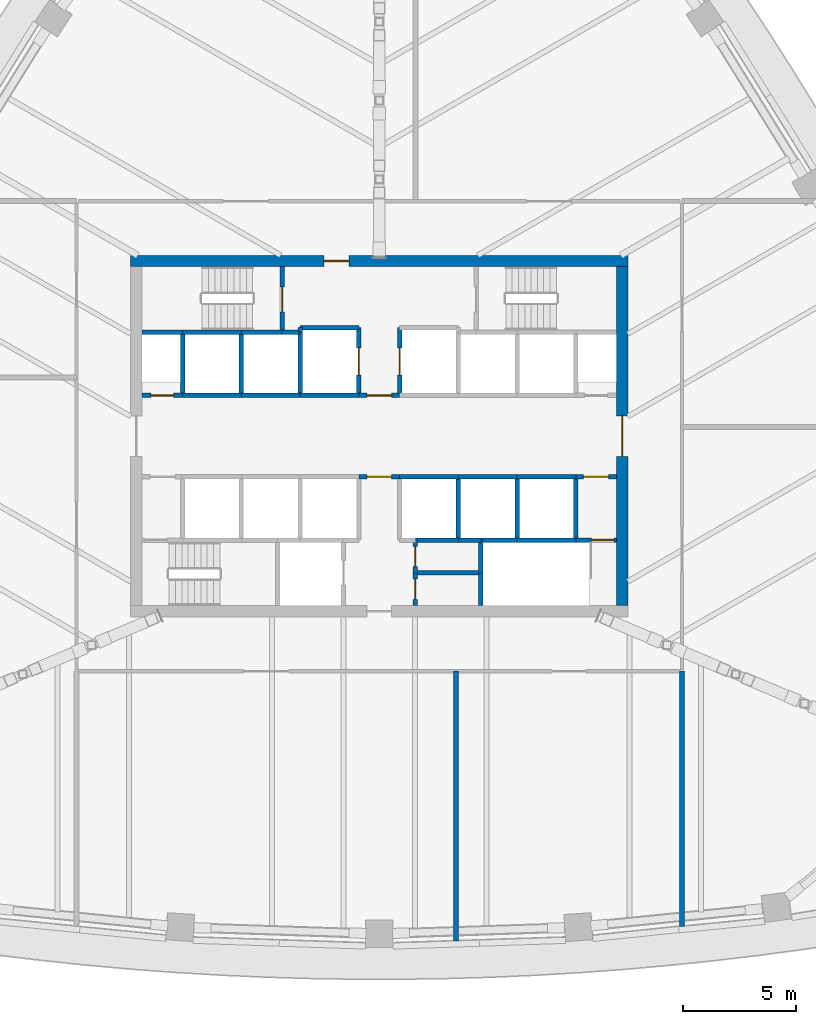
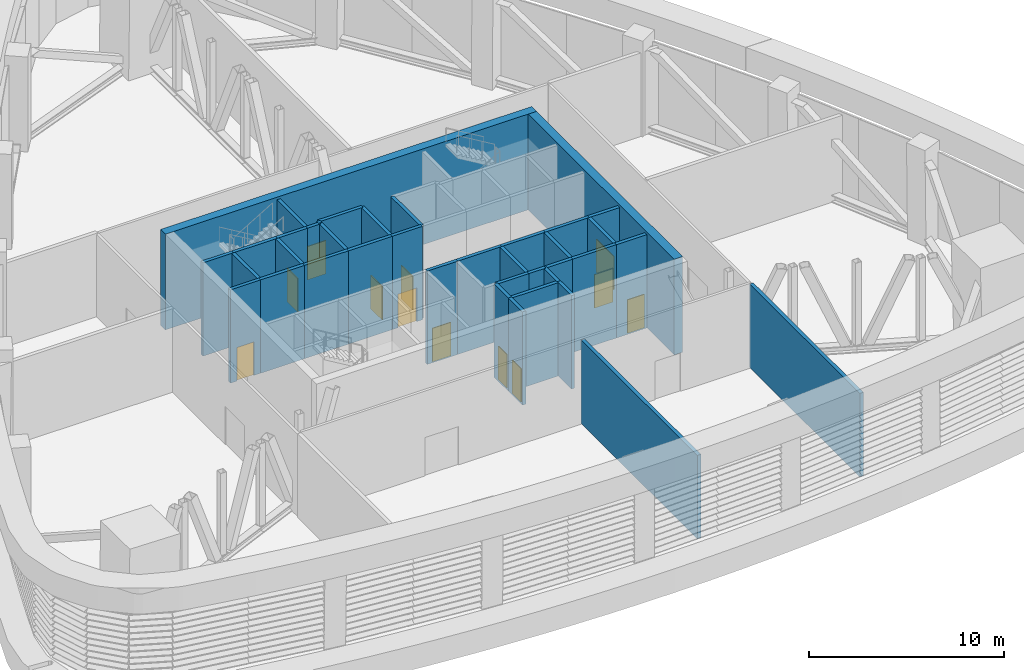
# One storey, part 6 of 18: 39 walls, 12 doors, 12 openings.
"""IFC4 building model written with IfcOpenShell, lengths in metres."""

from ifc_helpers import new_model, si_unit, direction, frame, frame_2d, origin, place, context, subcontext, project, spatial, rectangle, extrude, material, layer, layer_set, type_object, element, fill, save


model = new_model("IFC4")

# Units and contexts
model_context = context("Model", 3, precision=1e-05, world=origin(), true_north=direction((0.0, 1.0)))
body_context = subcontext(model_context, "Body", "Model", "MODEL_VIEW")
ifc_project = project(units=[si_unit("LENGTHUNIT", "METRE"), si_unit("AREAUNIT", "SQUARE_METRE"), si_unit("VOLUMEUNIT", "CUBIC_METRE"), si_unit("PLANEANGLEUNIT", "RADIAN"), si_unit("MASSUNIT", "GRAM", prefix="KILO")], contexts=[model_context])

# Site, building, storey
site_placement = place(None, origin())
site = spatial("IfcSite", under=ifc_project, at=site_placement, CompositionType="ELEMENT")
building_placement = place(site_placement, origin())
building = spatial("IfcBuilding", under=site, at=building_placement, Name="Sierra Prisma Convention Tower", CompositionType="ELEMENT")
storey_placement = place(building_placement, frame((0.0, 0.0, 112.60009765625)))
storey = spatial("IfcBuildingStorey", under=building, at=storey_placement, Name="L24", CompositionType="ELEMENT", Elevation=112.60009765625)

# Wall, opening, door
ifc_material_1 = material(Name="Concrete C30/37", Category="concrete")
ifc_layer_1 = layer(ifc_material_1, 0.199951171875)
ifc_layer_set_1 = layer_set([ifc_layer_1], Name="Core wall RC 200 C30/37")
wall_type_1 = type_object("IfcWallType", Name="Core wall RC 200 C30/37", PredefinedType="SOLIDWALL", material=ifc_layer_set_1)
wall_1_placement = place(storey_placement, frame((-8.699951171875, 1.800048828125, 0.0), z_axis=(0.0, 0.0, 1.0), x_axis=(-1.0, 0.0, 0.0)))
wall_1 = element("IfcWall", 1, at=wall_1_placement, inside=storey, type_object=wall_type_1, Name="Core wall L24 3", PredefinedType="SOLIDWALL", context=body_context, shape_type="SweptSolid", body=[
    extrude(rectangle(XDim=1.800048828125, YDim=0.199951171875, at=frame_2d((0.89990234375, 0.0))), origin(), (0.0, 0.0, 1.0), 5.849853515625),
])
opening_1_placement = place(wall_1_placement, frame((0.39990234375, 0.0, 0.0)))
opening_1 = element("IfcOpeningElement", 2, at=opening_1_placement, cuts=wall_1, Name="Opening L24-D008", PredefinedType="OPENING", context=body_context, shape_type="SweptSolid", body=[
    extrude(rectangle(XDim=1.0, YDim=2.10009765625, at=frame_2d((0.5, 1.050048828125))), frame((0.0, 0.10009765625, 0.0), z_axis=(0.0, -1.0, 0.0), x_axis=(1.0, 0.0, 0.0)), (0.0, 0.0, 1.0), 0.199951171875),
])
ifc_material_2 = material(Name="Steel fire door leaf", Category="steel")
door_type_1 = type_object("IfcDoorType", Name="Door 1000x2100 FD60S", OperationType="SINGLE_SWING_LEFT", PredefinedType="DOOR", material=ifc_material_2)
door_1_placement = place(opening_1_placement, origin())
door_1 = element("IfcDoor", 3, at=door_1_placement, inside=storey, type_object=door_type_1, Name="Door L24 16", OperationType="SINGLE_SWING_RIGHT", OverallHeight=2.10009765625, OverallWidth=1.0, PredefinedType="DOOR", context=body_context, shape_type="SweptSolid", body=[
    extrude(rectangle(XDim=1.0, YDim=2.10009765625, at=frame_2d((0.5, 1.050048828125))), frame((0.0, 0.02490234375, 0.0), z_axis=(0.0, -1.0, 0.0), x_axis=(1.0, 0.0, 0.0)), (0.0, 0.0, 1.0), 0.050048828125),
])
fill(opening_1, door_1)

# Walls
wall_2_placement = place(storey_placement, frame((-8.699951171875, 4.60009765625, 0.0), z_axis=(0.0, 0.0, 1.0), x_axis=(-1.0, 0.0, 0.0)))
element("IfcWall", 4, at=wall_2_placement, inside=storey, type_object=wall_type_1, Name="Core wall L24 4", PredefinedType="SOLIDWALL", context=body_context, shape_type="SweptSolid", body=[
    extrude(rectangle(XDim=1.800048828125, YDim=0.199951171875, at=frame_2d((0.89990234375, 0.0))), origin(), (0.0, 0.0, 1.0), 5.849853515625),
])
wall_3_placement = place(storey_placement, frame((-6.10009765625, 1.800048828125, 0.0), z_axis=(0.0, 0.0, 1.0), x_axis=(-1.0, 0.0, 0.0)))
element("IfcWall", 5, at=wall_3_placement, inside=storey, type_object=wall_type_1, Name="Core wall L24 8", PredefinedType="SOLIDWALL", context=body_context, shape_type="SweptSolid", body=[
    extrude(rectangle(XDim=2.599853515625, YDim=0.199951171875, at=frame_2d((1.2998046875, 0.0))), origin(), (0.0, 0.0, 1.0), 5.849853515625),
])
wall_4_placement = place(storey_placement, frame((-8.699951171875, 1.800048828125, 0.0), z_axis=(0.0, 0.0, 1.0), x_axis=(0.0, 1.0, 0.0)))
element("IfcWall", 6, at=wall_4_placement, inside=storey, type_object=wall_type_1, Name="Core wall L24 9", PredefinedType="SOLIDWALL", context=body_context, shape_type="SweptSolid", body=[
    extrude(rectangle(XDim=2.800048828125, YDim=0.199951171875, at=frame_2d((1.39990234375, 0.0))), origin(), (0.0, 0.0, 1.0), 5.849853515625),
])
wall_5_placement = place(storey_placement, frame((-6.10009765625, 4.60009765625, 0.0), z_axis=(0.0, 0.0, 1.0), x_axis=(-1.0, 0.0, 0.0)))
element("IfcWall", 7, at=wall_5_placement, inside=storey, type_object=wall_type_1, Name="Core wall L24 10", PredefinedType="SOLIDWALL", context=body_context, shape_type="SweptSolid", body=[
    extrude(rectangle(XDim=2.599853515625, YDim=0.199951171875, at=frame_2d((1.2998046875, 0.0))), origin(), (0.0, 0.0, 1.0), 5.849853515625),
])
wall_6_placement = place(storey_placement, frame((-3.5, 1.800048828125, 0.0), z_axis=(0.0, 0.0, 1.0), x_axis=(-1.0, 0.0, 0.0)))
element("IfcWall", 8, at=wall_6_placement, inside=storey, type_object=wall_type_1, Name="Core wall L24 14", PredefinedType="SOLIDWALL", context=body_context, shape_type="SweptSolid", body=[
    extrude(rectangle(XDim=2.60009765625, YDim=0.199951171875, at=frame_2d((1.300048828125, 0.0))), origin(), (0.0, 0.0, 1.0), 5.849853515625),
])
wall_7_placement = place(storey_placement, frame((-6.10009765625, 1.800048828125, 0.0), z_axis=(0.0, 0.0, 1.0), x_axis=(0.0, 1.0, 0.0)))
element("IfcWall", 9, at=wall_7_placement, inside=storey, type_object=wall_type_1, Name="Core wall L24 15", PredefinedType="SOLIDWALL", context=body_context, shape_type="SweptSolid", body=[
    extrude(rectangle(XDim=2.800048828125, YDim=0.199951171875, at=frame_2d((1.39990234375, 0.0))), origin(), (0.0, 0.0, 1.0), 5.849853515625),
])
wall_8_placement = place(storey_placement, frame((-4.300048828125, 4.60009765625, 0.0), z_axis=(0.0, 0.0, 1.0), x_axis=(-1.0, 0.0, 0.0)))
element("IfcWall", 10, at=wall_8_placement, inside=storey, type_object=wall_type_1, Name="Core wall L24 16", PredefinedType="SOLIDWALL", context=body_context, shape_type="SweptSolid", body=[
    extrude(rectangle(XDim=1.800048828125, YDim=0.199951171875, at=frame_2d((0.89990234375, 0.0))), origin(), (0.0, 0.0, 1.0), 5.849853515625),
])
wall_9_placement = place(storey_placement, frame((-3.5, 4.60009765625, 0.0), z_axis=(0.0, 0.0, 1.0), x_axis=(-1.0, 0.0, 0.0)))
element("IfcWall", 11, at=wall_9_placement, inside=storey, type_object=wall_type_1, Name="Core wall L24 19", PredefinedType="SOLIDWALL", context=body_context, shape_type="SweptSolid", body=[
    extrude(rectangle(XDim=0.800048828125, YDim=0.199951171875, at=frame_2d((0.39990234375, 0.0))), origin(), (0.0, 0.0, 1.0), 5.849853515625),
])

# Wall, opening, door
wall_10_placement = place(storey_placement, frame((-4.300048828125, 4.60009765625, 0.0), z_axis=(0.0, 0.0, 1.0), x_axis=(0.0, 1.0, 0.0)))
wall_10 = element("IfcWall", 12, at=wall_10_placement, inside=storey, type_object=wall_type_1, Name="Core wall L24 20", PredefinedType="SOLIDWALL", context=body_context, shape_type="SweptSolid", body=[
    extrude(rectangle(XDim=2.89990234375, YDim=0.199951171875, at=frame_2d((1.449951171875, 0.0))), origin(), (0.0, 0.0, 1.0), 5.849853515625),
])
opening_2_placement = place(wall_10_placement, frame((0.89990234375, 0.0, 0.0)))
opening_2 = element("IfcOpeningElement", 13, at=opening_2_placement, cuts=wall_10, Name="Opening L24-D012", PredefinedType="OPENING", context=body_context, shape_type="SweptSolid", body=[
    extrude(rectangle(XDim=1.10009765625, YDim=2.10009765625, at=frame_2d((0.550048828125, 1.050048828125))), frame((0.0, 0.10009765625, 0.0), z_axis=(0.0, -1.0, 0.0), x_axis=(1.0, 0.0, 0.0)), (0.0, 0.0, 1.0), 0.199951171875),
])
ifc_material_3 = material(Name="Steel fire door leaf", Category="steel")
door_type_2 = type_object("IfcDoorType", Name="Door 1100x2100 FD90S", OperationType="SINGLE_SWING_LEFT", PredefinedType="DOOR", material=ifc_material_3)
door_2_placement = place(opening_2_placement, origin())
door_2 = element("IfcDoor", 14, at=door_2_placement, inside=storey, type_object=door_type_2, Name="Door L24 20", OperationType="SINGLE_SWING_RIGHT", OverallHeight=2.10009765625, OverallWidth=1.10009765625, PredefinedType="DOOR", context=body_context, shape_type="SweptSolid", body=[
    extrude(rectangle(XDim=1.10009765625, YDim=2.10009765625, at=frame_2d((0.550048828125, 1.050048828125))), frame((0.0, 0.02490234375, 0.0), z_axis=(0.0, -1.0, 0.0), x_axis=(1.0, 0.0, 0.0)), (0.0, 0.0, 1.0), 0.050048828125),
])
fill(opening_2, door_2)

# Walls
wall_11_placement = place(storey_placement, frame((-0.89990234375, 1.800048828125, 0.0), z_axis=(0.0, 0.0, 1.0), x_axis=(-1.0, 0.0, 0.0)))
element("IfcWall", 15, at=wall_11_placement, inside=storey, type_object=wall_type_1, Name="Core wall L24 24", PredefinedType="SOLIDWALL", context=body_context, shape_type="SweptSolid", body=[
    extrude(rectangle(XDim=2.60009765625, YDim=0.199951171875, at=frame_2d((1.300048828125, 0.0))), origin(), (0.0, 0.0, 1.0), 5.849853515625),
])
wall_12_placement = place(storey_placement, frame((-3.5, 4.60009765625, 0.0), z_axis=(0.0, 0.0, 1.0), x_axis=(0.0, -1.0, 0.0)))
element("IfcWall", 16, at=wall_12_placement, inside=storey, type_object=wall_type_1, Name="Core wall L24 25", PredefinedType="SOLIDWALL", context=body_context, shape_type="SweptSolid", body=[
    extrude(rectangle(XDim=2.800048828125, YDim=0.199951171875, at=frame_2d((1.39990234375, 0.0))), origin(), (0.0, 0.0, 1.0), 5.849853515625),
])

# Wall, opening, door
wall_13_placement = place(storey_placement, frame((-0.89990234375, 1.800048828125, 0.0), z_axis=(0.0, 0.0, 1.0), x_axis=(0.0, 1.0, 0.0)))
wall_13 = element("IfcWall", 17, at=wall_13_placement, inside=storey, type_object=wall_type_1, Name="Core wall L24 26", PredefinedType="SOLIDWALL", context=body_context, shape_type="SweptSolid", body=[
    extrude(rectangle(XDim=3.0, YDim=0.199951171875, at=frame_2d((1.5, 0.0))), origin(), (0.0, 0.0, 1.0), 5.849853515625),
])
opening_3_placement = place(wall_13_placement, frame((0.89990234375, 0.0, 0.0)))
opening_3 = element("IfcOpeningElement", 18, at=opening_3_placement, cuts=wall_13, Name="Opening L24-D001", PredefinedType="OPENING", context=body_context, shape_type="SweptSolid", body=[
    extrude(rectangle(XDim=1.199951171875, YDim=2.10009765625, at=frame_2d((0.60009765625, 1.050048828125))), frame((0.0, 0.10009765625, 0.0), z_axis=(0.0, -1.0, 0.0), x_axis=(1.0, 0.0, 0.0)), (0.0, 0.0, 1.0), 0.199951171875),
])
ifc_material_4 = material(Name="Steel fire door leaf", Category="steel")
door_type_3 = type_object("IfcDoorType", Name="Door 1200x2100 EI 90 sliding lift landing", OperationType="SLIDING_TO_LEFT", PredefinedType="DOOR", material=ifc_material_4)
door_3_placement = place(opening_3_placement, origin())
door_3 = element("IfcDoor", 19, at=door_3_placement, inside=storey, type_object=door_type_3, Name="Door L24 9", OperationType="SLIDING_TO_RIGHT", OverallHeight=2.10009765625, OverallWidth=1.199951171875, PredefinedType="DOOR", context=body_context, shape_type="SweptSolid", body=[
    extrude(rectangle(XDim=1.199951171875, YDim=2.10009765625, at=frame_2d((0.60009765625, 1.050048828125))), frame((0.0, 0.02490234375, 0.0), z_axis=(0.0, -1.0, 0.0), x_axis=(1.0, 0.0, 0.0)), (0.0, 0.0, 1.0), 0.050048828125),
])
fill(opening_3, door_3)

# Walls
wall_14_placement = place(storey_placement, frame((-0.89990234375, 4.800048828125, 0.0), z_axis=(0.0, 0.0, 1.0), x_axis=(-1.0, 0.0, 0.0)))
element("IfcWall", 20, at=wall_14_placement, inside=storey, type_object=wall_type_1, Name="Core wall L24 27", PredefinedType="SOLIDWALL", context=body_context, shape_type="SweptSolid", body=[
    extrude(rectangle(XDim=2.60009765625, YDim=0.199951171875, at=frame_2d((1.300048828125, 0.0))), origin(), (0.0, 0.0, 1.0), 5.849853515625),
])
wall_15_placement = place(storey_placement, frame((-3.5, 4.800048828125, 0.0), z_axis=(0.0, 0.0, 1.0), x_axis=(0.0, -1.0, 0.0)))
element("IfcWall", 21, at=wall_15_placement, inside=storey, type_object=wall_type_1, Name="Core wall L24 28", PredefinedType="SOLIDWALL", context=body_context, shape_type="SweptSolid", body=[
    extrude(rectangle(XDim=0.199951171875, YDim=0.199951171875, at=frame_2d((0.10009765625, 0.0))), origin(), (0.0, 0.0, 1.0), 5.849853515625),
])

# Wall, opening, door
wall_16_placement = place(storey_placement, frame((-0.89990234375, -1.800048828125, 0.0), z_axis=(0.0, 0.0, 1.0), x_axis=(1.0, 0.0, 0.0)))
wall_16 = element("IfcWall", 22, at=wall_16_placement, inside=storey, type_object=wall_type_1, Name="Core wall L24 32", PredefinedType="SOLIDWALL", context=body_context, shape_type="SweptSolid", body=[
    extrude(rectangle(XDim=1.7998046875, YDim=0.199951171875, at=frame_2d((0.89990234375, 0.0))), origin(), (0.0, 0.0, 1.0), 5.849853515625),
])
opening_4_placement = place(wall_16_placement, frame((0.35009765625, 0.0, 0.0)))
opening_4 = element("IfcOpeningElement", 23, at=opening_4_placement, cuts=wall_16, Name="Opening L24-D007", PredefinedType="OPENING", context=body_context, shape_type="SweptSolid", body=[
    extrude(rectangle(XDim=1.10009765625, YDim=2.10009765625, at=frame_2d((0.550048828125, 1.050048828125))), frame((0.0, 0.10009765625, 0.0), z_axis=(0.0, -1.0, 0.0), x_axis=(1.0, 0.0, 0.0)), (0.0, 0.0, 1.0), 0.199951171875),
])
ifc_material_5 = material(Name="Steel fire door leaf", Category="steel")
door_type_4 = type_object("IfcDoorType", Name="Door 1100x2100 FD30S", OperationType="SINGLE_SWING_LEFT", PredefinedType="DOOR", material=ifc_material_5)
door_4_placement = place(opening_4_placement, origin())
door_4 = element("IfcDoor", 24, at=door_4_placement, inside=storey, type_object=door_type_4, Name="Door L24 15", OperationType="SINGLE_SWING_LEFT", OverallHeight=2.10009765625, OverallWidth=1.10009765625, PredefinedType="DOOR", context=body_context, shape_type="SweptSolid", body=[
    extrude(rectangle(XDim=1.10009765625, YDim=2.10009765625, at=frame_2d((0.550048828125, 1.050048828125))), frame((0.0, 0.02490234375, 0.0), z_axis=(0.0, -1.0, 0.0), x_axis=(1.0, 0.0, 0.0)), (0.0, 0.0, 1.0), 0.050048828125),
])
fill(opening_4, door_4)

wall_17_placement = place(storey_placement, frame((0.89990234375, 1.800048828125, 0.0), z_axis=(0.0, 0.0, 1.0), x_axis=(-1.0, 0.0, 0.0)))
wall_17 = element("IfcWall", 25, at=wall_17_placement, inside=storey, type_object=wall_type_1, Name="Core wall L24 33", PredefinedType="SOLIDWALL", context=body_context, shape_type="SweptSolid", body=[
    extrude(rectangle(XDim=1.7998046875, YDim=0.199951171875, at=frame_2d((0.89990234375, 0.0))), origin(), (0.0, 0.0, 1.0), 5.849853515625),
])
opening_5_placement = place(wall_17_placement, frame((0.35009765625, 0.0, 0.0)))
opening_5 = element("IfcOpeningElement", 26, at=opening_5_placement, cuts=wall_17, Name="Opening L24-D006", PredefinedType="OPENING", context=body_context, shape_type="SweptSolid", body=[
    extrude(rectangle(XDim=1.10009765625, YDim=2.10009765625, at=frame_2d((0.550048828125, 1.050048828125))), frame((0.0, 0.10009765625, 0.0), z_axis=(0.0, -1.0, 0.0), x_axis=(1.0, 0.0, 0.0)), (0.0, 0.0, 1.0), 0.199951171875),
])
ifc_material_6 = material(Name="Steel fire door leaf", Category="steel")
door_type_5 = type_object("IfcDoorType", Name="Door 1100x2100 FD60S", OperationType="SINGLE_SWING_LEFT", PredefinedType="DOOR", material=ifc_material_6)
door_5_placement = place(opening_5_placement, origin())
door_5 = element("IfcDoor", 27, at=door_5_placement, inside=storey, type_object=door_type_5, Name="Door L24 14", OperationType="SINGLE_SWING_RIGHT", OverallHeight=2.10009765625, OverallWidth=1.10009765625, PredefinedType="DOOR", context=body_context, shape_type="SweptSolid", body=[
    extrude(rectangle(XDim=1.10009765625, YDim=2.10009765625, at=frame_2d((0.550048828125, 1.050048828125))), frame((0.0, 0.02490234375, 0.0), z_axis=(0.0, -1.0, 0.0), x_axis=(1.0, 0.0, 0.0)), (0.0, 0.0, 1.0), 0.050048828125),
])
fill(opening_5, door_5)

# Wall
wall_18_placement = place(storey_placement, frame((0.89990234375, -1.800048828125, 0.0), z_axis=(0.0, 0.0, 1.0), x_axis=(1.0, 0.0, 0.0)))
element("IfcWall", 28, at=wall_18_placement, inside=storey, type_object=wall_type_1, Name="Core wall L24 34", PredefinedType="SOLIDWALL", context=body_context, shape_type="SweptSolid", body=[
    extrude(rectangle(XDim=2.60009765625, YDim=0.199951171875, at=frame_2d((1.300048828125, 0.0))), origin(), (0.0, 0.0, 1.0), 5.849853515625),
])

# Wall, opening, door
wall_19_placement = place(storey_placement, frame((0.89990234375, 4.800048828125, 0.0), z_axis=(0.0, 0.0, 1.0), x_axis=(0.0, -1.0, 0.0)))
wall_19 = element("IfcWall", 29, at=wall_19_placement, inside=storey, type_object=wall_type_1, Name="Core wall L24 40", PredefinedType="SOLIDWALL", context=body_context, shape_type="SweptSolid", body=[
    extrude(rectangle(XDim=3.0, YDim=0.199951171875, at=frame_2d((1.5, 0.0))), origin(), (0.0, 0.0, 1.0), 5.849853515625),
])
opening_6_placement = place(wall_19_placement, frame((0.89990234375, 0.0, 0.0)))
opening_6 = element("IfcOpeningElement", 30, at=opening_6_placement, cuts=wall_19, Name="Opening L24-D002", PredefinedType="OPENING", context=body_context, shape_type="SweptSolid", body=[
    extrude(rectangle(XDim=1.199951171875, YDim=2.10009765625, at=frame_2d((0.60009765625, 1.050048828125))), frame((0.0, 0.10009765625, 0.0), z_axis=(0.0, -1.0, 0.0), x_axis=(1.0, 0.0, 0.0)), (0.0, 0.0, 1.0), 0.199951171875),
])
door_6_placement = place(opening_6_placement, origin())
door_6 = element("IfcDoor", 31, at=door_6_placement, inside=storey, type_object=door_type_3, Name="Door L24 10", OperationType="SLIDING_TO_RIGHT", OverallHeight=2.10009765625, OverallWidth=1.199951171875, PredefinedType="DOOR", context=body_context, shape_type="SweptSolid", body=[
    extrude(rectangle(XDim=1.199951171875, YDim=2.10009765625, at=frame_2d((0.60009765625, 1.050048828125))), frame((0.0, 0.02490234375, 0.0), z_axis=(0.0, -1.0, 0.0), x_axis=(1.0, 0.0, 0.0)), (0.0, 0.0, 1.0), 0.050048828125),
])
fill(opening_6, door_6)

wall_20_placement = place(storey_placement, frame((1.60009765625, -6.050048828125, 0.0), z_axis=(0.0, 0.0, 1.0), x_axis=(0.0, -1.0, 0.0)))
wall_20 = element("IfcWall", 32, at=wall_20_placement, inside=storey, type_object=wall_type_1, Name="Core wall L24 41", PredefinedType="SOLIDWALL", context=body_context, shape_type="SweptSolid", body=[
    extrude(rectangle(XDim=1.449951171875, YDim=0.199951171875, at=frame_2d((0.72509765625, 0.0))), origin(), (0.0, 0.0, 1.0), 5.849853515625),
])
opening_7_placement = place(wall_20_placement, frame((0.27490234375, 0.0, 0.0)))
opening_7 = element("IfcOpeningElement", 33, at=opening_7_placement, cuts=wall_20, Name="Opening L24-D014", PredefinedType="OPENING", context=body_context, shape_type="SweptSolid", body=[
    extrude(rectangle(XDim=0.89990234375, YDim=2.10009765625, at=frame_2d((0.449951171875, 1.050048828125))), frame((0.0, 0.10009765625, 0.0), z_axis=(0.0, -1.0, 0.0), x_axis=(1.0, 0.0, 0.0)), (0.0, 0.0, 1.0), 0.199951171875),
])
ifc_material_7 = material(Name="Steel fire door leaf", Category="steel")
door_type_6 = type_object("IfcDoorType", Name="Door 900x2100 FD30S", OperationType="SINGLE_SWING_LEFT", PredefinedType="DOOR", material=ifc_material_7)
door_7_placement = place(opening_7_placement, origin())
door_7 = element("IfcDoor", 34, at=door_7_placement, inside=storey, type_object=door_type_6, Name="Door L24 22", OperationType="SINGLE_SWING_LEFT", OverallHeight=2.10009765625, OverallWidth=0.89990234375, PredefinedType="DOOR", context=body_context, shape_type="SweptSolid", body=[
    extrude(rectangle(XDim=0.89990234375, YDim=2.10009765625, at=frame_2d((0.449951171875, 1.050048828125))), frame((0.0, 0.02490234375, 0.0), z_axis=(0.0, -1.0, 0.0), x_axis=(1.0, 0.0, 0.0)), (0.0, 0.0, 1.0), 0.050048828125),
])
fill(opening_7, door_7)

# Wall
wall_21_placement = place(storey_placement, frame((4.5, -6.050048828125, 0.0), z_axis=(0.0, 0.0, 1.0), x_axis=(-1.0, 0.0, 0.0)))
element("IfcWall", 35, at=wall_21_placement, inside=storey, type_object=wall_type_1, Name="Core wall L24 42", PredefinedType="SOLIDWALL", context=body_context, shape_type="SweptSolid", body=[
    extrude(rectangle(XDim=2.89990234375, YDim=0.199951171875, at=frame_2d((1.449951171875, 0.0))), origin(), (0.0, 0.0, 1.0), 5.849853515625),
])

# Wall, opening, door
wall_22_placement = place(storey_placement, frame((1.60009765625, -4.60009765625, 0.0), z_axis=(0.0, 0.0, 1.0), x_axis=(0.0, -1.0, 0.0)))
wall_22 = element("IfcWall", 36, at=wall_22_placement, inside=storey, type_object=wall_type_1, Name="Core wall L24 43", PredefinedType="SOLIDWALL", context=body_context, shape_type="SweptSolid", body=[
    extrude(rectangle(XDim=1.449951171875, YDim=0.199951171875, at=frame_2d((0.72509765625, 0.0))), origin(), (0.0, 0.0, 1.0), 5.849853515625),
])
opening_8_placement = place(wall_22_placement, frame((0.27490234375, 0.0, 0.0)))
opening_8 = element("IfcOpeningElement", 37, at=opening_8_placement, cuts=wall_22, Name="Opening L24-D015", PredefinedType="OPENING", context=body_context, shape_type="SweptSolid", body=[
    extrude(rectangle(XDim=0.89990234375, YDim=2.10009765625, at=frame_2d((0.449951171875, 1.050048828125))), frame((0.0, 0.10009765625, 0.0), z_axis=(0.0, -1.0, 0.0), x_axis=(1.0, 0.0, 0.0)), (0.0, 0.0, 1.0), 0.199951171875),
])
door_8_placement = place(opening_8_placement, origin())
door_8 = element("IfcDoor", 38, at=door_8_placement, inside=storey, type_object=door_type_6, Name="Door L24 23", OperationType="SINGLE_SWING_RIGHT", OverallHeight=2.10009765625, OverallWidth=0.89990234375, PredefinedType="DOOR", context=body_context, shape_type="SweptSolid", body=[
    extrude(rectangle(XDim=0.89990234375, YDim=2.10009765625, at=frame_2d((0.449951171875, 1.050048828125))), frame((0.0, 0.02490234375, 0.0), z_axis=(0.0, -1.0, 0.0), x_axis=(1.0, 0.0, 0.0)), (0.0, 0.0, 1.0), 0.050048828125),
])
fill(opening_8, door_8)

# Walls
wall_23_placement = place(storey_placement, frame((3.5, -4.60009765625, 0.0), z_axis=(0.0, 0.0, 1.0), x_axis=(-1.0, 0.0, 0.0)))
element("IfcWall", 39, at=wall_23_placement, inside=storey, type_object=wall_type_1, Name="Core wall L24 44", PredefinedType="SOLIDWALL", context=body_context, shape_type="SweptSolid", body=[
    extrude(rectangle(XDim=1.89990234375, YDim=0.199951171875, at=frame_2d((0.949951171875, 0.0))), origin(), (0.0, 0.0, 1.0), 5.849853515625),
])
wall_24_placement = place(storey_placement, frame((4.5, -4.60009765625, 0.0), z_axis=(0.0, 0.0, 1.0), x_axis=(-1.0, 0.0, 0.0)))
element("IfcWall", 40, at=wall_24_placement, inside=storey, type_object=wall_type_1, Name="Core wall L24 45", PredefinedType="SOLIDWALL", context=body_context, shape_type="SweptSolid", body=[
    extrude(rectangle(XDim=1.0, YDim=0.199951171875, at=frame_2d((0.5, 0.0))), origin(), (0.0, 0.0, 1.0), 5.849853515625),
])
wall_25_placement = place(storey_placement, frame((3.5, -4.60009765625, 0.0), z_axis=(0.0, 0.0, 1.0), x_axis=(0.0, 1.0, 0.0)))
element("IfcWall", 41, at=wall_25_placement, inside=storey, type_object=wall_type_1, Name="Core wall L24 46", PredefinedType="SOLIDWALL", context=body_context, shape_type="SweptSolid", body=[
    extrude(rectangle(XDim=2.800048828125, YDim=0.199951171875, at=frame_2d((1.39990234375, 0.0))), origin(), (0.0, 0.0, 1.0), 5.849853515625),
])
wall_26_placement = place(storey_placement, frame((3.5, -1.800048828125, 0.0), z_axis=(0.0, 0.0, 1.0), x_axis=(1.0, 0.0, 0.0)))
element("IfcWall", 42, at=wall_26_placement, inside=storey, type_object=wall_type_1, Name="Core wall L24 47", PredefinedType="SOLIDWALL", context=body_context, shape_type="SweptSolid", body=[
    extrude(rectangle(XDim=2.60009765625, YDim=0.199951171875, at=frame_2d((1.300048828125, 0.0))), origin(), (0.0, 0.0, 1.0), 5.849853515625),
])
for number, where, z_axis, x_axis, name in (
    (43, (4.5, -7.5, 0.0), (0.0, 0.0, 1.0), (0.0, 1.0, 0.0), "Core wall L24 53"),
    (44, (4.5, -6.050048828125, 0.0), (0.0, 0.0, 1.0), (0.0, 1.0, 0.0), "Core wall L24 54"),
):
    element("IfcWall", number, at=place(storey_placement, frame(where, z_axis=z_axis, x_axis=x_axis)), inside=storey, type_object=wall_type_1, Name=name, PredefinedType="SOLIDWALL", context=body_context, shape_type="SweptSolid", body=[
        extrude(rectangle(XDim=1.449951171875, YDim=0.199951171875, at=frame_2d((0.72509765625, 0.0))), origin(), (0.0, 0.0, 1.0), 5.849853515625),
    ])
wall_27_placement = place(storey_placement, frame((4.5, -4.60009765625, 0.0), z_axis=(0.0, 0.0, 1.0), x_axis=(1.0, 0.0, 0.0)))
element("IfcWall", 45, at=wall_27_placement, inside=storey, type_object=wall_type_1, Name="Core wall L24 55", PredefinedType="SOLIDWALL", context=body_context, shape_type="SweptSolid", body=[
    extrude(rectangle(XDim=1.60009765625, YDim=0.199951171875, at=frame_2d((0.800048828125, 0.0))), origin(), (0.0, 0.0, 1.0), 5.849853515625),
])
wall_28_placement = place(storey_placement, frame((6.10009765625, -4.60009765625, 0.0), z_axis=(0.0, 0.0, 1.0), x_axis=(1.0, 0.0, 0.0)))
element("IfcWall", 46, at=wall_28_placement, inside=storey, type_object=wall_type_1, Name="Core wall L24 56", PredefinedType="SOLIDWALL", context=body_context, shape_type="SweptSolid", body=[
    extrude(rectangle(XDim=2.599853515625, YDim=0.199951171875, at=frame_2d((1.2998046875, 0.0))), origin(), (0.0, 0.0, 1.0), 5.849853515625),
])
wall_29_placement = place(storey_placement, frame((6.10009765625, -4.60009765625, 0.0), z_axis=(0.0, 0.0, 1.0), x_axis=(0.0, 1.0, 0.0)))
element("IfcWall", 47, at=wall_29_placement, inside=storey, type_object=wall_type_1, Name="Core wall L24 57", PredefinedType="SOLIDWALL", context=body_context, shape_type="SweptSolid", body=[
    extrude(rectangle(XDim=2.800048828125, YDim=0.199951171875, at=frame_2d((1.39990234375, 0.0))), origin(), (0.0, 0.0, 1.0), 5.849853515625),
])
wall_30_placement = place(storey_placement, frame((6.10009765625, -1.800048828125, 0.0), z_axis=(0.0, 0.0, 1.0), x_axis=(1.0, 0.0, 0.0)))
element("IfcWall", 48, at=wall_30_placement, inside=storey, type_object=wall_type_1, Name="Core wall L24 58", PredefinedType="SOLIDWALL", context=body_context, shape_type="SweptSolid", body=[
    extrude(rectangle(XDim=2.599853515625, YDim=0.199951171875, at=frame_2d((1.2998046875, 0.0))), origin(), (0.0, 0.0, 1.0), 5.849853515625),
])

# Wall, opening, door
wall_31_placement = place(storey_placement, frame((8.699951171875, -4.60009765625, 0.0), z_axis=(0.0, 0.0, 1.0), x_axis=(1.0, 0.0, 0.0)))
wall_31 = element("IfcWall", 49, at=wall_31_placement, inside=storey, type_object=wall_type_1, Name="Core wall L24 62", PredefinedType="SOLIDWALL", context=body_context, shape_type="SweptSolid", body=[
    extrude(rectangle(XDim=1.800048828125, YDim=0.199951171875, at=frame_2d((0.89990234375, 0.0))), origin(), (0.0, 0.0, 1.0), 5.849853515625),
])
opening_9_placement = place(wall_31_placement, frame((0.699951171875, 0.0, 0.0)))
opening_9 = element("IfcOpeningElement", 50, at=opening_9_placement, cuts=wall_31, Name="Opening L24-D011", PredefinedType="OPENING", context=body_context, shape_type="SweptSolid", body=[
    extrude(rectangle(XDim=1.0, YDim=2.10009765625, at=frame_2d((0.5, 1.050048828125))), frame((0.0, 0.10009765625, 0.0), z_axis=(0.0, -1.0, 0.0), x_axis=(1.0, 0.0, 0.0)), (0.0, 0.0, 1.0), 0.199951171875),
])
ifc_material_8 = material(Name="Steel fire door leaf", Category="steel")
door_type_7 = type_object("IfcDoorType", Name="Door 1000x2100 FD90S", OperationType="SINGLE_SWING_LEFT", PredefinedType="DOOR", material=ifc_material_8)
door_9_placement = place(opening_9_placement, origin())
door_9 = element("IfcDoor", 51, at=door_9_placement, inside=storey, type_object=door_type_7, Name="Door L24 19", OperationType="SINGLE_SWING_RIGHT", OverallHeight=2.10009765625, OverallWidth=1.0, PredefinedType="DOOR", context=body_context, shape_type="SweptSolid", body=[
    extrude(rectangle(XDim=1.0, YDim=2.10009765625, at=frame_2d((0.5, 1.050048828125))), frame((0.0, 0.02490234375, 0.0), z_axis=(0.0, -1.0, 0.0), x_axis=(1.0, 0.0, 0.0)), (0.0, 0.0, 1.0), 0.050048828125),
])
fill(opening_9, door_9)

# Wall
wall_32_placement = place(storey_placement, frame((8.699951171875, -1.800048828125, 0.0), z_axis=(0.0, 0.0, 1.0), x_axis=(0.0, -1.0, 0.0)))
element("IfcWall", 52, at=wall_32_placement, inside=storey, type_object=wall_type_1, Name="Core wall L24 63", PredefinedType="SOLIDWALL", context=body_context, shape_type="SweptSolid", body=[
    extrude(rectangle(XDim=2.800048828125, YDim=0.199951171875, at=frame_2d((1.39990234375, 0.0))), origin(), (0.0, 0.0, 1.0), 5.849853515625),
])

# Wall, opening, door
wall_33_placement = place(storey_placement, frame((8.699951171875, -1.800048828125, 0.0), z_axis=(0.0, 0.0, 1.0), x_axis=(1.0, 0.0, 0.0)))
wall_33 = element("IfcWall", 53, at=wall_33_placement, inside=storey, type_object=wall_type_1, Name="Core wall L24 64", PredefinedType="SOLIDWALL", context=body_context, shape_type="SweptSolid", body=[
    extrude(rectangle(XDim=1.800048828125, YDim=0.199951171875, at=frame_2d((0.89990234375, 0.0))), origin(), (0.0, 0.0, 1.0), 5.849853515625),
])
opening_10_placement = place(wall_33_placement, frame((0.35009765625, 0.0, 0.0)))
opening_10 = element("IfcOpeningElement", 54, at=opening_10_placement, cuts=wall_33, Name="Opening L24-D005", PredefinedType="OPENING", context=body_context, shape_type="SweptSolid", body=[
    extrude(rectangle(XDim=1.10009765625, YDim=2.10009765625, at=frame_2d((0.550048828125, 1.050048828125))), frame((0.0, 0.10009765625, 0.0), z_axis=(0.0, -1.0, 0.0), x_axis=(1.0, 0.0, 0.0)), (0.0, 0.0, 1.0), 0.199951171875),
])
door_10_placement = place(opening_10_placement, origin())
door_10 = element("IfcDoor", 55, at=door_10_placement, inside=storey, type_object=door_type_2, Name="Door L24 13", OperationType="SINGLE_SWING_LEFT", OverallHeight=2.10009765625, OverallWidth=1.10009765625, PredefinedType="DOOR", context=body_context, shape_type="SweptSolid", body=[
    extrude(rectangle(XDim=1.10009765625, YDim=2.10009765625, at=frame_2d((0.550048828125, 1.050048828125))), frame((0.0, 0.02490234375, 0.0), z_axis=(0.0, -1.0, 0.0), x_axis=(1.0, 0.0, 0.0)), (0.0, 0.0, 1.0), 0.050048828125),
])
fill(opening_10, door_10)

ifc_material_9 = material(Name="Concrete C60/75", Category="concrete")
ifc_layer_2 = layer(ifc_material_9, 0.5)
ifc_layer_set_2 = layer_set([ifc_layer_2], Name="Core wall RC 500 C60/75")
wall_type_2 = type_object("IfcWallType", Name="Core wall RC 500 C60/75", PredefinedType="SHEAR", material=ifc_layer_set_2)
wall_34_placement = place(storey_placement, frame((-11.0, 7.75, 0.0), z_axis=(0.0, 0.0, 1.0), x_axis=(1.0, 0.0, 0.0)))
wall_34 = element("IfcWall", 56, at=wall_34_placement, inside=storey, type_object=wall_type_2, Name="Core wall N L24", PredefinedType="SHEAR", context=body_context, shape_type="SweptSolid", body=[
    extrude(rectangle(XDim=22.0, YDim=0.5, at=frame_2d((11.0, 0.0))), origin(), (0.0, 0.0, 1.0), 6.0),
])
opening_11_placement = place(wall_34_placement, frame((8.550048828125, 0.0, 0.0)))
opening_11 = element("IfcOpeningElement", 57, at=opening_11_placement, cuts=wall_34, Name="Opening L24-D025", PredefinedType="OPENING", context=body_context, shape_type="SweptSolid", body=[
    extrude(rectangle(XDim=1.10009765625, YDim=2.10009765625, at=frame_2d((0.550048828125, 1.050048828125))), frame((0.0, 0.25, 0.0), z_axis=(0.0, -1.0, 0.0), x_axis=(1.0, 0.0, 0.0)), (0.0, 0.0, 1.0), 0.5),
])
door_11_placement = place(opening_11_placement, origin())
door_11 = element("IfcDoor", 58, at=door_11_placement, inside=storey, type_object=door_type_5, Name="Door L24 26", OperationType="SINGLE_SWING_LEFT", OverallHeight=2.10009765625, OverallWidth=1.10009765625, PredefinedType="DOOR", context=body_context, shape_type="SweptSolid", body=[
    extrude(rectangle(XDim=1.10009765625, YDim=2.10009765625, at=frame_2d((0.550048828125, 1.050048828125))), frame((0.0, 0.02490234375, 0.0), z_axis=(0.0, -1.0, 0.0), x_axis=(1.0, 0.0, 0.0)), (0.0, 0.0, 1.0), 0.050048828125),
])
fill(opening_11, door_11)

wall_35_placement = place(storey_placement, frame((10.75, -7.5, 0.0), z_axis=(0.0, 0.0, 1.0), x_axis=(0.0, 1.0, 0.0)))
wall_35 = element("IfcWall", 59, at=wall_35_placement, inside=storey, type_object=wall_type_2, Name="Core wall E L24", PredefinedType="SHEAR", context=body_context, shape_type="SweptSolid", body=[
    extrude(rectangle(XDim=15.0, YDim=0.5, at=frame_2d((7.5, 0.0))), origin(), (0.0, 0.0, 1.0), 6.0),
])
opening_12_placement = place(wall_35_placement, frame((6.60009765625, 0.0, 0.0)))
opening_12 = element("IfcOpeningElement", 60, at=opening_12_placement, cuts=wall_35, Name="Opening L24-D024", PredefinedType="OPENING", context=body_context, shape_type="SweptSolid", body=[
    extrude(rectangle(XDim=1.800048828125, YDim=2.10009765625, at=frame_2d((0.89990234375, 1.050048828125))), frame((0.0, 0.25, 0.0), z_axis=(0.0, -1.0, 0.0), x_axis=(1.0, 0.0, 0.0)), (0.0, 0.0, 1.0), 0.5),
])
ifc_material_10 = material(Name="Steel fire door leaf", Category="steel")
door_type_8 = type_object("IfcDoorType", Name="Door 1800x2100 FD60S", OperationType="DOUBLE_DOOR_SINGLE_SWING", PredefinedType="DOOR", material=ifc_material_10)
door_12_placement = place(opening_12_placement, origin())
door_12 = element("IfcDoor", 61, at=door_12_placement, inside=storey, type_object=door_type_8, Name="Door L24 25", OperationType="DOUBLE_DOOR_SINGLE_SWING", OverallHeight=2.10009765625, OverallWidth=1.800048828125, PredefinedType="DOOR", context=body_context, shape_type="SweptSolid", body=[
    extrude(rectangle(XDim=1.800048828125, YDim=2.10009765625, at=frame_2d((0.89990234375, 1.050048828125))), frame((0.0, 0.02490234375, 0.0), z_axis=(0.0, -1.0, 0.0), x_axis=(1.0, 0.0, 0.0)), (0.0, 0.0, 1.0), 0.050048828125),
])
fill(opening_12, door_12)

# Walls
ifc_material_11 = material(Name="Hollow clay block masonry", Category="masonry")
ifc_layer_3 = layer(ifc_material_11, 0.215087890625)
ifc_layer_set_3 = layer_set([ifc_layer_3], Name="Plant room wall 215 blockwork EI 120")
wall_type_3 = type_object("IfcWallType", Name="Plant room wall 215 blockwork EI 120", PredefinedType="PARTITIONING", material=ifc_layer_set_3)
wall_36_placement = place(storey_placement, frame((3.39990234375, -10.39990234375, 0.0), z_axis=(0.0, 0.0, 1.0), x_axis=(0.0, -1.0, 0.0)))
element("IfcWall", 62, at=wall_36_placement, inside=storey, type_object=wall_type_3, Name="Partition L24 plant 5", PredefinedType="PARTITIONING", context=body_context, shape_type="SweptSolid", body=[
    extrude(rectangle(XDim=11.950927734375, YDim=0.215087890625, at=frame_2d((5.9755859375, 0.0))), origin(), (0.0, 0.0, 1.0), 5.23388671875),
])
wall_37_placement = place(storey_placement, frame((13.39990234375, -10.39990234375, 0.0), z_axis=(0.0, 0.0, 1.0), x_axis=(0.0, -1.0, 0.0)))
element("IfcWall", 63, at=wall_37_placement, inside=storey, type_object=wall_type_3, Name="Partition L24 plant 6", PredefinedType="PARTITIONING", context=body_context, shape_type="SweptSolid", body=[
    extrude(rectangle(XDim=11.314697265625, YDim=0.215087890625, at=frame_2d((5.6572265625, 0.0))), origin(), (0.0, 0.0, 1.0), 5.23388671875),
])

save(model, "model.ifc")
